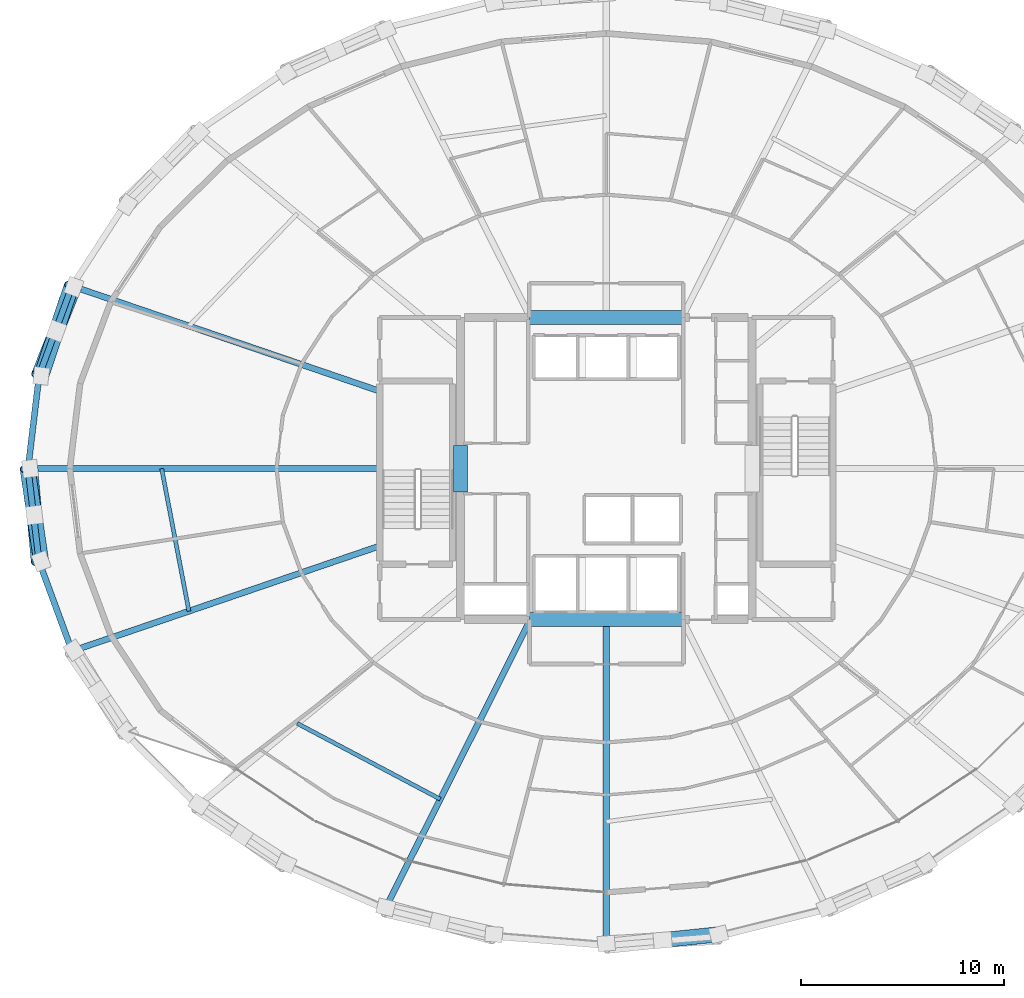
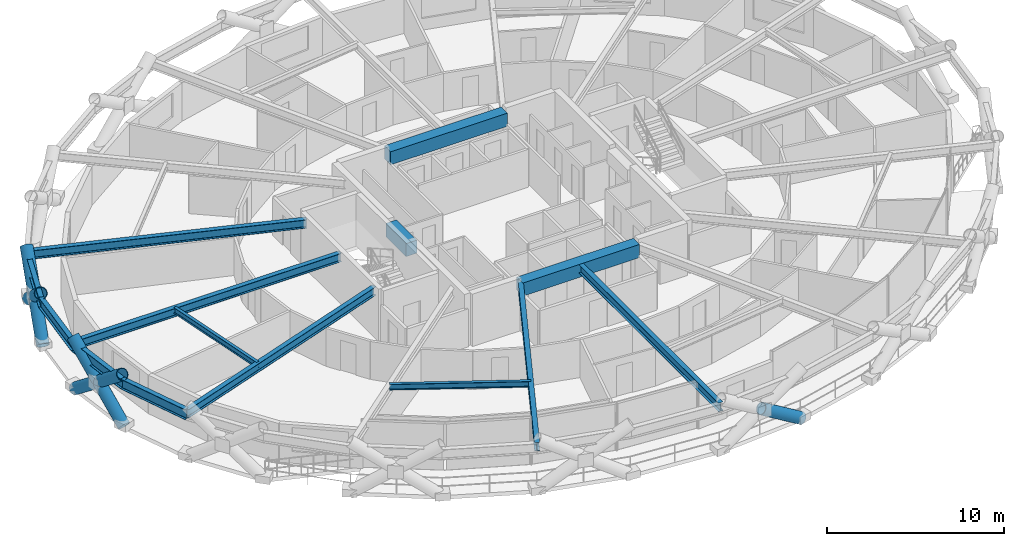
# One storey, part 6 of 19: 14 beams, 7 members.
"""IFC4 building model written with IfcOpenShell, lengths in metres."""

from ifc_helpers import new_model, si_unit, direction, frame, origin, origin_2d, place, context, subcontext, project, spatial, rectangle, hollow_circle, i_section, extrude, material, material_profile, profile_set, type_object, element, save


model = new_model("IFC4")

# Units and contexts
model_context = context("Model", 3, precision=1e-05, world=origin(), true_north=direction((0.0, 1.0)))
body_context = subcontext(model_context, "Body", "Model", "MODEL_VIEW")
ifc_project = project(units=[si_unit("LENGTHUNIT", "METRE"), si_unit("AREAUNIT", "SQUARE_METRE"), si_unit("VOLUMEUNIT", "CUBIC_METRE"), si_unit("PLANEANGLEUNIT", "RADIAN"), si_unit("MASSUNIT", "GRAM", prefix="KILO")], contexts=[model_context])

# Site, building, storey
site_placement = place(None, origin())
site = spatial("IfcSite", under=ifc_project, at=site_placement, CompositionType="ELEMENT")
building_placement = place(site_placement, origin())
building = spatial("IfcBuilding", under=site, at=building_placement, Name="Veldorina Hangang Commons", CompositionType="ELEMENT")
storey_placement = place(building_placement, frame((0.0, 0.0, 52.0)))
storey = spatial("IfcBuildingStorey", under=building, at=storey_placement, Name="L12", CompositionType="ELEMENT", Elevation=52.0)

# Beams
ifc_material_1 = material(Name="Concrete C70/85", Category="concrete")
ifc_material_profile_1 = material_profile(ifc_material_1, rectangle(XDim=0.699951171875, YDim=0.89990234375, at=origin_2d()), Name="RC-CB-700x900")
ifc_profile_set_1 = profile_set([ifc_material_profile_1], Name="Concrete C70/85")
beam_type_1 = type_object("IfcBeamType", Name="BM-CB900", PredefinedType="LINTEL", material=ifc_profile_set_1)
beam_1_placement = place(storey_placement, frame((24.800048828125, 22.85009765625, 2.889892578125), z_axis=(0.0, 1.0, 0.0), x_axis=(-1.0, 0.0, 0.0)))
element("IfcBeam", 1, at=beam_1_placement, inside=storey, type_object=beam_type_1, Name="L12 W core coupling lintel beam", PredefinedType="LINTEL", context=body_context, shape_type="SweptSolid", body=[
    extrude(rectangle(XDim=0.699951171875, YDim=0.89990234375, at=origin_2d()), origin(), (0.0, 0.0, 1.0), 2.2998046875),
])
for number, where, z_axis, x_axis, name in (
    (2, (28.199951171875, 16.550048828125, 2.889892578125), (1.0, 0.0, 0.0), (0.0, 1.0, 0.0), "L12 south core coupling beam"),
    (3, (28.199951171875, 31.449951171875, 2.889892578125), (1.0, 0.0, 0.0), (0.0, 1.0, 0.0), "L12 north core coupling beam"),
):
    element("IfcBeam", number, at=place(storey_placement, frame(where, z_axis=z_axis, x_axis=x_axis)), inside=storey, type_object=beam_type_1, Name=name, PredefinedType="LINTEL", context=body_context, shape_type="SweptSolid", body=[
        extrude(rectangle(XDim=0.699951171875, YDim=0.89990234375, at=origin_2d()), origin(), (0.0, 0.0, 1.0), 7.60009765625),
    ])
ifc_material_2 = material(Name="Steel SM460-TMC", Category="steel")
ifc_material_profile_2 = material_profile(ifc_material_2, i_section(OverallWidth=0.300048828125, OverallDepth=0.587890625, WebThickness=0.011962890625, FlangeThickness=0.02001953125, FilletRadius=0.01806640625, at=origin_2d()), Name="H-588x300x12x20")
ifc_profile_set_2 = profile_set([ifc_material_profile_2], Name="Steel SM460-TMC")
beam_type_2 = type_object("IfcBeamType", Name="BM-FG588", PredefinedType="BEAM", material=ifc_profile_set_2)
beam_2_placement = place(storey_placement, frame((20.820068359375, 27.819580078125, 3.0458984375), z_axis=(-0.946294358267, 0.323306336949, 0.0), x_axis=(-0.323306336949, -0.946294358267, 0.0)))
element("IfcBeam", 4, at=beam_2_placement, inside=storey, type_object=beam_type_2, Name="L12 radial floor girder 08", PredefinedType="BEAM", context=body_context, shape_type="SweptSolid", body=[
    extrude(i_section(OverallWidth=0.300048828125, OverallDepth=0.587890625, WebThickness=0.011962890625, FlangeThickness=0.02001953125, FilletRadius=0.01806640625, at=origin_2d()), origin(), (0.0, 0.0, 1.0), 16.048828125),
])
beam_3_placement = place(storey_placement, frame((20.820068359375, 24.0, 3.0458984375), z_axis=(-1.0, 0.0, 0.0), x_axis=(0.0, -1.0, 0.0)))
element("IfcBeam", 5, at=beam_3_placement, inside=storey, type_object=beam_type_2, Name="L12 radial floor girder 09", PredefinedType="BEAM", context=body_context, shape_type="SweptSolid", body=[
    extrude(i_section(OverallWidth=0.300048828125, OverallDepth=0.587890625, WebThickness=0.011962890625, FlangeThickness=0.02001953125, FilletRadius=0.01806640625, at=origin_2d()), origin(), (0.0, 0.0, 1.0), 17.359375),
])
beam_4_placement = place(storey_placement, frame((20.820068359375, 20.180419921875, 3.0458984375), z_axis=(-0.946294358267, -0.323306336949, 0.0), x_axis=(0.323306336949, -0.946294358267, 0.0)))
element("IfcBeam", 6, at=beam_4_placement, inside=storey, type_object=beam_type_2, Name="L12 radial floor girder 10", PredefinedType="BEAM", context=body_context, shape_type="SweptSolid", body=[
    extrude(i_section(OverallWidth=0.300048828125, OverallDepth=0.587890625, WebThickness=0.011962890625, FlangeThickness=0.02001953125, FilletRadius=0.01806640625, at=origin_2d()), origin(), (0.0, 0.0, 1.0), 16.048828125),
])
beam_5_placement = place(storey_placement, frame((28.258544921875, 16.550048828125, 3.0458984375), z_axis=(-0.448781583211, -0.893641477647, 0.0), x_axis=(0.893641477647, -0.448781583211, 0.0)))
element("IfcBeam", 7, at=beam_5_placement, inside=storey, type_object=beam_type_2, Name="L12 radial floor girder 12", PredefinedType="BEAM", context=body_context, shape_type="SweptSolid", body=[
    extrude(i_section(OverallWidth=0.300048828125, OverallDepth=0.587890625, WebThickness=0.011962890625, FlangeThickness=0.02001953125, FilletRadius=0.01806640625, at=origin_2d()), origin(), (0.0, 0.0, 1.0), 15.999267578125),
])
beam_6_placement = place(storey_placement, frame((32.0, 16.550048828125, 3.0458984375), z_axis=(0.0, -1.0, 0.0), x_axis=(1.0, 0.0, 0.0)))
element("IfcBeam", 8, at=beam_6_placement, inside=storey, type_object=beam_type_2, Name="L12 radial floor girder 13", PredefinedType="BEAM", context=body_context, shape_type="SweptSolid", body=[
    extrude(i_section(OverallWidth=0.300048828125, OverallDepth=0.587890625, WebThickness=0.011962890625, FlangeThickness=0.02001953125, FilletRadius=0.01806640625, at=origin_2d()), origin(), (0.0, 0.0, 1.0), 16.08935546875),
])
ifc_material_3 = material(Name="Steel SM355-TMC", Category="steel")
ifc_material_profile_3 = material_profile(ifc_material_3, i_section(OverallWidth=0.199951171875, OverallDepth=0.39990234375, WebThickness=0.008056640625, FlangeThickness=0.012939453125, FilletRadius=0.012939453125, at=origin_2d()), Name="H-400x200x8x13")
ifc_profile_set_3 = profile_set([ifc_material_profile_3], Name="Steel SM355-TMC")
beam_type_3 = type_object("IfcBeamType", Name="BM-JST400", PredefinedType="JOIST", material=ifc_profile_set_3)
beam_7_placement = place(storey_placement, frame((10.05712890625, 24.0, 3.139892578125), z_axis=(0.188003029942, -0.982168448247, 0.0), x_axis=(0.982168448247, 0.188003029942, 0.0)))
element("IfcBeam", 9, at=beam_7_placement, inside=storey, type_object=beam_type_3, Name="L12 secondary floor joist 09", PredefinedType="JOIST", context=body_context, shape_type="SweptSolid", body=[
    extrude(i_section(OverallWidth=0.199951171875, OverallDepth=0.39990234375, WebThickness=0.008056640625, FlangeThickness=0.012939453125, FilletRadius=0.012939453125, at=origin_2d()), origin(), (0.0, 0.0, 1.0), 7.164306640625),
])
beam_8_placement = place(storey_placement, frame((16.752197265625, 11.423583984375, 3.139892578125), z_axis=(0.883621988293, -0.468201005771, 0.0), x_axis=(0.468201005771, 0.883621988293, 0.0)))
element("IfcBeam", 10, at=beam_8_placement, inside=storey, type_object=beam_type_3, Name="L12 secondary floor joist 11", PredefinedType="JOIST", context=body_context, shape_type="SweptSolid", body=[
    extrude(i_section(OverallWidth=0.199951171875, OverallDepth=0.39990234375, WebThickness=0.008056640625, FlangeThickness=0.012939453125, FilletRadius=0.012939453125, at=origin_2d()), origin(), (0.0, 0.0, 1.0), 7.98388671875),
])
ifc_material_profile_4 = material_profile(ifc_material_2, i_section(OverallWidth=0.300048828125, OverallDepth=0.699951171875, WebThickness=0.012939453125, FlangeThickness=0.02392578125, FilletRadius=0.02197265625, at=origin_2d()), Name="H-700x300x13x24")
ifc_profile_set_4 = profile_set([ifc_material_profile_4], Name="Steel SM460-TMC")
beam_type_4 = type_object("IfcBeamType", Name="BM-RB700", PredefinedType="BEAM", material=ifc_profile_set_4)
beam_9_placement = place(storey_placement, frame((5.633056640625, 33.00830078125, 2.989990234375), z_axis=(-0.345157061848, -0.938544939071, 0.0), x_axis=(0.938544939071, -0.345157061848, 0.0)))
element("IfcBeam", 11, at=beam_9_placement, inside=storey, type_object=beam_type_4, Name="L12 perimeter hoop ring beam 14", PredefinedType="BEAM", context=body_context, shape_type="SweptSolid", body=[
    extrude(i_section(OverallWidth=0.300048828125, OverallDepth=0.699951171875, WebThickness=0.012939453125, FlangeThickness=0.02392578125, FilletRadius=0.02197265625, at=origin_2d()), origin(), (0.0, 0.0, 1.0), 4.705078125),
])
for number, where, z_axis, x_axis, name in (
    (12, (4.009033203125, 28.59228515625, 2.989990234375), (-0.118562364743, -0.992946607662, 0.0), (0.992946607662, -0.118562364743, 0.0), "L12 perimeter hoop ring beam 15"),
    (13, (3.460693359375, 24.0, 2.989990234375), (0.118562364743, -0.992946607662, 0.0), (0.992946607662, 0.118562364743, 0.0), "L12 perimeter hoop ring beam 16"),
):
    element("IfcBeam", number, at=place(storey_placement, frame(where, z_axis=z_axis, x_axis=x_axis)), inside=storey, type_object=beam_type_4, Name=name, PredefinedType="BEAM", context=body_context, shape_type="SweptSolid", body=[
        extrude(i_section(OverallWidth=0.300048828125, OverallDepth=0.699951171875, WebThickness=0.012939453125, FlangeThickness=0.02392578125, FilletRadius=0.02197265625, at=origin_2d()), origin(), (0.0, 0.0, 1.0), 4.625),
    ])
beam_10_placement = place(storey_placement, frame((4.009033203125, 19.40771484375, 2.989990234375), z_axis=(0.345157061848, -0.938544939071, 0.0), x_axis=(0.938544939071, 0.345157061848, 0.0)))
element("IfcBeam", 14, at=beam_10_placement, inside=storey, type_object=beam_type_4, Name="L12 perimeter hoop ring beam 17", PredefinedType="BEAM", context=body_context, shape_type="SweptSolid", body=[
    extrude(i_section(OverallWidth=0.300048828125, OverallDepth=0.699951171875, WebThickness=0.012939453125, FlangeThickness=0.02392578125, FilletRadius=0.02197265625, at=origin_2d()), origin(), (0.0, 0.0, 1.0), 4.705078125),
])

# Members
ifc_material_profile_5 = material_profile(ifc_material_2, hollow_circle(Radius=0.375, WallThickness=0.035888671875, at=origin_2d()), Name="CHS-750x36")
ifc_profile_set_5 = profile_set([ifc_material_profile_5], Name="Steel SM460-TMC")
member_type = type_object("IfcMemberType", Name="DG-CHS750", PredefinedType="BRACE", material=ifc_profile_set_5)
member_1_placement = place(storey_placement, frame((5.729248046875, 32.96826171875, 0.0), z_axis=(-0.293876277716, -0.737863503234, 0.607613515312), x_axis=(0.929026677226, -0.370012747081, 0.0)))
element("IfcMember", 15, at=member_1_placement, inside=storey, type_object=member_type, Name="L12 continuous perimeter diagrid brace 14", PredefinedType="BRACE", context=body_context, shape_type="SweptSolid", body=[
    extrude(hollow_circle(Radius=0.375, WallThickness=0.035888671875, at=origin_2d()), origin(), (0.0, 0.0, 1.0), 5.925048828125),
])
member_2_placement = place(storey_placement, frame((4.111083984375, 28.572021484375, 0.0), z_axis=(0.254318553164, 0.751448407248, 0.60880815103), x_axis=(-0.947222794816, 0.320576008117, 0.0)))
element("IfcMember", 16, at=member_2_placement, inside=storey, type_object=member_type, Name="L12 split perimeter diagrid lower brace 15", PredefinedType="BRACE", context=body_context, shape_type="SweptSolid", body=[
    extrude(hollow_circle(Radius=0.375, WallThickness=0.035888671875, at=origin_2d()), origin(), (0.0, 0.0, 1.0), 2.948974609375),
])
member_3_placement = place(storey_placement, frame((4.861083984375, 30.7880859375, 1.79541015625), z_axis=(0.253740275488, 0.751667476266, 0.608779005649), x_axis=(-0.947472225768, 0.319838054957, 0.0)))
element("IfcMember", 17, at=member_3_placement, inside=storey, type_object=member_type, Name="L12 split perimeter diagrid upper brace 15", PredefinedType="BRACE", context=body_context, shape_type="SweptSolid", body=[
    extrude(hollow_circle(Radius=0.375, WallThickness=0.035888671875, at=origin_2d()), origin(), (0.0, 0.0, 1.0), 2.96435546875),
])
member_4_placement = place(storey_placement, frame((3.564697265625, 24.0, 0.0), z_axis=(0.072318634767, -0.785203539076, 0.615000339258), x_axis=(0.995785426558, 0.091713599068, 0.0)))
element("IfcMember", 18, at=member_4_placement, inside=storey, type_object=member_type, Name="L12 continuous perimeter diagrid brace 16", PredefinedType="BRACE", context=body_context, shape_type="SweptSolid", body=[
    extrude(hollow_circle(Radius=0.375, WallThickness=0.035888671875, at=origin_2d()), origin(), (0.0, 0.0, 1.0), 5.853759765625),
])
member_5_placement = place(storey_placement, frame((4.111083984375, 19.427978515625, 0.0), z_axis=(-0.11474837887, 0.780506271135, 0.614526460184), x_axis=(-0.989364965256, -0.145454341717, 0.0)))
element("IfcMember", 19, at=member_5_placement, inside=storey, type_object=member_type, Name="L12 split perimeter diagrid lower brace 17", PredefinedType="BRACE", context=body_context, shape_type="SweptSolid", body=[
    extrude(hollow_circle(Radius=0.375, WallThickness=0.035888671875, at=origin_2d()), origin(), (0.0, 0.0, 1.0), 2.921142578125),
])
member_6_placement = place(storey_placement, frame((3.77587890625, 21.7080078125, 1.795166015625), z_axis=(-0.114641287502, 0.780458598309, 0.614606989486), x_axis=(-0.9893832156, -0.145330150651, 0.0)))
element("IfcMember", 20, at=member_6_placement, inside=storey, type_object=member_type, Name="L12 split perimeter diagrid upper brace 17", PredefinedType="BRACE", context=body_context, shape_type="SweptSolid", body=[
    extrude(hollow_circle(Radius=0.375, WallThickness=0.035888671875, at=origin_2d()), origin(), (0.0, 0.0, 1.0), 2.936767578125),
])
member_7_placement = place(storey_placement, frame((37.54736328125, 1.01513671875, 0.0), z_axis=(-0.835704168634, -0.086696198157, 0.542293566026), x_axis=(0.103186533053, -0.994662022697, 0.0)))
element("IfcMember", 21, at=member_7_placement, inside=storey, type_object=member_type, Name="L12 split perimeter diagrid lower brace 25", PredefinedType="BRACE", context=body_context, shape_type="SweptSolid", body=[
    extrude(hollow_circle(Radius=0.375, WallThickness=0.035888671875, at=origin_2d()), origin(), (0.0, 0.0, 1.0), 3.311767578125),
])

save(model, "model.ifc")
